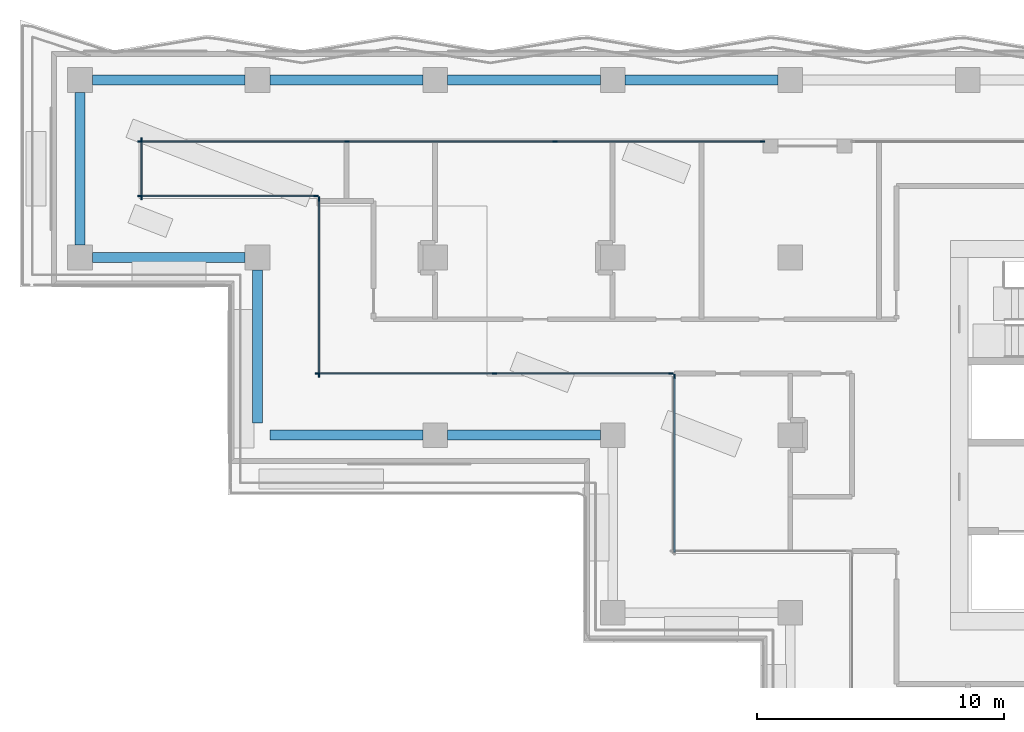
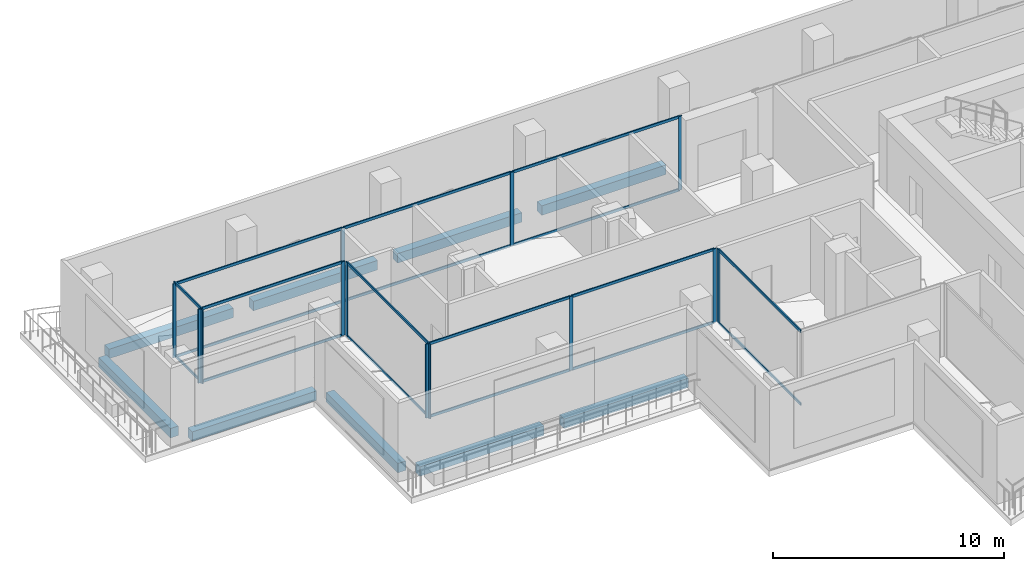
# One storey, part 4 of 23: 32 members, 9 beams, 6 elements without a shape of their own.
"""IFC4 building model written with IfcOpenShell, lengths in metres."""

from ifc_helpers import new_model, si_unit, direction, frame, origin, origin_2d, place, context, subcontext, project, spatial, rectangle, extrude, material, material_profile, profile_set, type_object, element, aggregate, save


model = new_model("IFC4")

# Units and contexts
model_context = context("Model", 3, precision=1e-05, world=origin(), true_north=direction((0.0, 1.0)))
body_context = subcontext(model_context, "Body", "Model", "MODEL_VIEW")
ifc_project = project(units=[si_unit("LENGTHUNIT", "METRE"), si_unit("AREAUNIT", "SQUARE_METRE"), si_unit("VOLUMEUNIT", "CUBIC_METRE"), si_unit("PLANEANGLEUNIT", "RADIAN"), si_unit("MASSUNIT", "GRAM", prefix="KILO")], contexts=[model_context])

# Site, building, storey
site_placement = place(None, origin())
site = spatial("IfcSite", under=ifc_project, at=site_placement, CompositionType="ELEMENT")
building_placement = place(site_placement, origin())
building = spatial("IfcBuilding", under=site, at=building_placement, Name="Windrow Commons", CompositionType="ELEMENT")
storey_placement = place(building_placement, frame((0.0, 0.0, 122.0)))
storey = spatial("IfcBuildingStorey", under=building, at=storey_placement, Name="L33", CompositionType="ELEMENT", Elevation=122.0)

# Curtain wall, members
ifc_material_1 = material(Name="Clear laminated glass in Aluminium 6063-T6 anodised frame", Category="aluminium")
curtain_wall_type = type_object("IfcCurtainWallType", Name="Curtain wall CW2M sky lounge mid", PredefinedType="USERDEFINED", material=ifc_material_1)
placement = place(storey_placement, origin())
curtain_wall_1 = element("IfcCurtainWall", 1, at=placement, inside=storey, type_object=curtain_wall_type, Name="Curtain wall CW2M L33 4.2", ObjectType="UNITISED", PredefinedType="USERDEFINED")
ifc_material_2 = material(Name="Aluminium 6063-T6", Category="aluminium")
ifc_material_profile_1 = material_profile(ifc_material_2, rectangle(XDim=0.06, YDim=0.18, at=origin_2d()))
ifc_profile_set_1 = profile_set([ifc_material_profile_1], Name="Aluminium 6063-T6")
member_type_1 = type_object("IfcMemberType", Name="CW2M mullion 60x180", PredefinedType="MULLION", material=ifc_profile_set_1)
member_1_placement = place(storey_placement, frame((49.2729, 69.5, 0.0), z_axis=(0.0, 0.0, 1.0), x_axis=(0.0, -1.0, 0.0)))
member_1 = element("IfcMember", 2, at=member_1_placement, type_object=member_type_1, Name="CW2M mullion 1", PredefinedType="MULLION", context=body_context, shape_type="SweptSolid", body=[
    extrude(rectangle(XDim=0.06, YDim=0.18, at=origin_2d()), origin(), (0.0, 0.0, 1.0), 3.9),
])
member_2_placement = place(storey_placement, frame((40.8686, 69.5, 0.0), z_axis=(0.0, 0.0, 1.0), x_axis=(0.0, -1.0, 0.0)))
member_2 = element("IfcMember", 3, at=member_2_placement, type_object=member_type_1, Name="CW2M mullion 2", PredefinedType="MULLION", context=body_context, shape_type="SweptSolid", body=[
    extrude(rectangle(XDim=0.06, YDim=0.18, at=origin_2d()), origin(), (0.0, 0.0, 1.0), 3.9),
])
member_3_placement = place(storey_placement, frame((32.4343, 69.5, 0.0), z_axis=(0.0, 0.0, 1.0), x_axis=(0.0, -1.0, 0.0)))
member_3 = element("IfcMember", 4, at=member_3_placement, type_object=member_type_1, Name="CW2M mullion 3", PredefinedType="MULLION", context=body_context, shape_type="SweptSolid", body=[
    extrude(rectangle(XDim=0.06, YDim=0.18, at=origin_2d()), origin(), (0.0, 0.0, 1.0), 3.9),
])
member_4_placement = place(storey_placement, frame((24.03, 69.5, 0.0), z_axis=(0.0, 0.0, 1.0), x_axis=(0.0, -1.0, 0.0)))
member_4 = element("IfcMember", 5, at=member_4_placement, type_object=member_type_1, Name="CW2M mullion 4", PredefinedType="MULLION", context=body_context, shape_type="SweptSolid", body=[
    extrude(rectangle(XDim=0.06, YDim=0.18, at=origin_2d()), origin(), (0.0, 0.0, 1.0), 3.9),
])

curtain_wall_2 = element("IfcCurtainWall", 6, at=placement, inside=storey, type_object=curtain_wall_type, Name="Curtain wall CW2M L33 5", ObjectType="UNITISED", PredefinedType="USERDEFINED")
member_5_placement = place(storey_placement, frame((24.1, 69.57, 0.0), z_axis=(0.0, 0.0, 1.0), x_axis=(1.0, 0.0, 0.0)))
member_5 = element("IfcMember", 7, at=member_5_placement, type_object=member_type_1, Name="CW2M mullion 1", PredefinedType="MULLION", context=body_context, shape_type="SweptSolid", body=[
    extrude(rectangle(XDim=0.06, YDim=0.18, at=origin_2d()), origin(), (0.0, 0.0, 1.0), 3.9),
])
member_6_placement = place(storey_placement, frame((24.1, 67.23, 0.0), z_axis=(0.0, 0.0, 1.0), x_axis=(1.0, 0.0, 0.0)))
member_6 = element("IfcMember", 8, at=member_6_placement, type_object=member_type_1, Name="CW2M mullion 2", PredefinedType="MULLION", context=body_context, shape_type="SweptSolid", body=[
    extrude(rectangle(XDim=0.06, YDim=0.18, at=origin_2d()), origin(), (0.0, 0.0, 1.0), 3.9),
])

curtain_wall_3 = element("IfcCurtainWall", 9, at=placement, inside=storey, type_object=curtain_wall_type, Name="Curtain wall CW2M L33 6", ObjectType="UNITISED", PredefinedType="USERDEFINED")
member_7_placement = place(storey_placement, frame((24.03, 67.3, 0.0), z_axis=(0.0, 0.0, 1.0), x_axis=(0.0, 1.0, 0.0)))
member_7 = element("IfcMember", 10, at=member_7_placement, type_object=member_type_1, Name="CW2M mullion 1", PredefinedType="MULLION", context=body_context, shape_type="SweptSolid", body=[
    extrude(rectangle(XDim=0.06, YDim=0.18, at=origin_2d()), origin(), (0.0, 0.0, 1.0), 3.9),
])
member_8_placement = place(storey_placement, frame((31.17, 67.3, 0.0), z_axis=(0.0, 0.0, 1.0), x_axis=(0.0, 1.0, 0.0)))
member_8 = element("IfcMember", 11, at=member_8_placement, type_object=member_type_1, Name="CW2M mullion 2", PredefinedType="MULLION", context=body_context, shape_type="SweptSolid", body=[
    extrude(rectangle(XDim=0.06, YDim=0.18, at=origin_2d()), origin(), (0.0, 0.0, 1.0), 3.9),
])

curtain_wall_4 = element("IfcCurtainWall", 12, at=placement, inside=storey, type_object=curtain_wall_type, Name="Curtain wall CW2M L33 7", ObjectType="UNITISED", PredefinedType="USERDEFINED")
member_9_placement = place(storey_placement, frame((31.3, 67.17, 0.0), z_axis=(0.0, 0.0, 1.0), x_axis=(1.0, 0.0, 0.0)))
member_9 = element("IfcMember", 13, at=member_9_placement, type_object=member_type_1, Name="CW2M mullion 1", PredefinedType="MULLION", context=body_context, shape_type="SweptSolid", body=[
    extrude(rectangle(XDim=0.06, YDim=0.18, at=origin_2d()), origin(), (0.0, 0.0, 1.0), 3.9),
])
member_10_placement = place(storey_placement, frame((31.3, 60.03, 0.0), z_axis=(0.0, 0.0, 1.0), x_axis=(1.0, 0.0, 0.0)))
member_10 = element("IfcMember", 14, at=member_10_placement, type_object=member_type_1, Name="CW2M mullion 2", PredefinedType="MULLION", context=body_context, shape_type="SweptSolid", body=[
    extrude(rectangle(XDim=0.06, YDim=0.18, at=origin_2d()), origin(), (0.0, 0.0, 1.0), 3.9),
])

curtain_wall_5 = element("IfcCurtainWall", 15, at=placement, inside=storey, type_object=curtain_wall_type, Name="Curtain wall CW2M L33 8", ObjectType="UNITISED", PredefinedType="USERDEFINED")
member_11_placement = place(storey_placement, frame((31.23, 60.1, 0.0), z_axis=(0.0, 0.0, 1.0), x_axis=(0.0, 1.0, 0.0)))
member_11 = element("IfcMember", 16, at=member_11_placement, type_object=member_type_1, Name="CW2M mullion 1", PredefinedType="MULLION", context=body_context, shape_type="SweptSolid", body=[
    extrude(rectangle(XDim=0.06, YDim=0.18, at=origin_2d()), origin(), (0.0, 0.0, 1.0), 3.9),
])
member_12_placement = place(storey_placement, frame((38.4, 60.1, 0.0), z_axis=(0.0, 0.0, 1.0), x_axis=(0.0, 1.0, 0.0)))
member_12 = element("IfcMember", 17, at=member_12_placement, type_object=member_type_1, Name="CW2M mullion 2", PredefinedType="MULLION", context=body_context, shape_type="SweptSolid", body=[
    extrude(rectangle(XDim=0.06, YDim=0.18, at=origin_2d()), origin(), (0.0, 0.0, 1.0), 3.9),
])
member_13_placement = place(storey_placement, frame((45.57, 60.1, 0.0), z_axis=(0.0, 0.0, 1.0), x_axis=(0.0, 1.0, 0.0)))
member_13 = element("IfcMember", 18, at=member_13_placement, type_object=member_type_1, Name="CW2M mullion 3", PredefinedType="MULLION", context=body_context, shape_type="SweptSolid", body=[
    extrude(rectangle(XDim=0.06, YDim=0.18, at=origin_2d()), origin(), (0.0, 0.0, 1.0), 3.9),
])

# Curtain wall, member
curtain_wall_6 = element("IfcCurtainWall", 19, at=placement, inside=storey, type_object=curtain_wall_type, Name="Curtain wall CW2M L33 9", ObjectType="UNITISED", PredefinedType="USERDEFINED")
member_14_placement = place(storey_placement, frame((45.7, 59.97, 0.0), z_axis=(0.0, 0.0, 1.0), x_axis=(1.0, 0.0, 0.0)))
member_14 = element("IfcMember", 20, at=member_14_placement, type_object=member_type_1, Name="CW2M mullion 1", PredefinedType="MULLION", context=body_context, shape_type="SweptSolid", body=[
    extrude(rectangle(XDim=0.06, YDim=0.18, at=origin_2d()), origin(), (0.0, 0.0, 1.0), 3.9),
])

# Member
ifc_material_3 = material(Name="Aluminium 6063-T6", Category="aluminium")
ifc_material_profile_2 = material_profile(ifc_material_3, rectangle(XDim=0.06, YDim=0.14, at=origin_2d()))
ifc_profile_set_2 = profile_set([ifc_material_profile_2], Name="Aluminium 6063-T6")
member_type_2 = type_object("IfcMemberType", Name="CW2M transom 60x140", PredefinedType="USERDEFINED", material=ifc_profile_set_2)
member_15_placement = place(storey_placement, frame((49.2429, 69.5, 0.03), z_axis=(-1.0, 0.0, 0.0), x_axis=(0.0, -1.0, 0.0)))
member_15 = element("IfcMember", 21, at=member_15_placement, type_object=member_type_2, Name="CW2M transom 1.1", ObjectType="TRANSOM", PredefinedType="USERDEFINED", context=body_context, shape_type="SweptSolid", body=[
    extrude(rectangle(XDim=0.06, YDim=0.14, at=origin_2d()), origin(), (0.0, 0.0, 1.0), 8.3443),
])

member_16_placement = place(storey_placement, frame((49.2429, 69.5, 3.87), z_axis=(-1.0, 0.0, 0.0), x_axis=(0.0, -1.0, 0.0)))
member_16 = element("IfcMember", 22, at=member_16_placement, type_object=member_type_2, Name="CW2M transom 1.2", ObjectType="TRANSOM", PredefinedType="USERDEFINED", context=body_context, shape_type="SweptSolid", body=[
    extrude(rectangle(XDim=0.06, YDim=0.14, at=origin_2d()), origin(), (0.0, 0.0, 1.0), 8.3443),
])

member_17_placement = place(storey_placement, frame((40.8386, 69.5, 0.03), z_axis=(-1.0, 0.0, 0.0), x_axis=(0.0, -1.0, 0.0)))
member_17 = element("IfcMember", 23, at=member_17_placement, type_object=member_type_2, Name="CW2M transom 2.1", ObjectType="TRANSOM", PredefinedType="USERDEFINED", context=body_context, shape_type="SweptSolid", body=[
    extrude(rectangle(XDim=0.06, YDim=0.14, at=origin_2d()), origin(), (0.0, 0.0, 1.0), 8.3743),
])

member_18_placement = place(storey_placement, frame((40.8386, 69.5, 3.87), z_axis=(-1.0, 0.0, 0.0), x_axis=(0.0, -1.0, 0.0)))
member_18 = element("IfcMember", 24, at=member_18_placement, type_object=member_type_2, Name="CW2M transom 2.2", ObjectType="TRANSOM", PredefinedType="USERDEFINED", context=body_context, shape_type="SweptSolid", body=[
    extrude(rectangle(XDim=0.06, YDim=0.14, at=origin_2d()), origin(), (0.0, 0.0, 1.0), 8.3743),
])

member_19_placement = place(storey_placement, frame((32.4043, 69.5, 0.03), z_axis=(-1.0, 0.0, 0.0), x_axis=(0.0, -1.0, 0.0)))
member_19 = element("IfcMember", 25, at=member_19_placement, type_object=member_type_2, Name="CW2M transom 3.1", ObjectType="TRANSOM", PredefinedType="USERDEFINED", context=body_context, shape_type="SweptSolid", body=[
    extrude(rectangle(XDim=0.06, YDim=0.14, at=origin_2d()), origin(), (0.0, 0.0, 1.0), 8.3443),
])

member_20_placement = place(storey_placement, frame((32.4043, 69.5, 3.87), z_axis=(-1.0, 0.0, 0.0), x_axis=(0.0, -1.0, 0.0)))
member_20 = element("IfcMember", 26, at=member_20_placement, type_object=member_type_2, Name="CW2M transom 3.2", ObjectType="TRANSOM", PredefinedType="USERDEFINED", context=body_context, shape_type="SweptSolid", body=[
    extrude(rectangle(XDim=0.06, YDim=0.14, at=origin_2d()), origin(), (0.0, 0.0, 1.0), 8.3443),
])

aggregate(curtain_wall_1, [member_1, member_2, member_3, member_4, member_15, member_16, member_17, member_18, member_19, member_20])

member_21_placement = place(storey_placement, frame((24.1, 69.54, 0.03), z_axis=(0.0, -1.0, 0.0), x_axis=(1.0, 0.0, 0.0)))
member_21 = element("IfcMember", 27, at=member_21_placement, type_object=member_type_2, Name="CW2M transom 1.1", ObjectType="TRANSOM", PredefinedType="USERDEFINED", context=body_context, shape_type="SweptSolid", body=[
    extrude(rectangle(XDim=0.06, YDim=0.14, at=origin_2d()), origin(), (0.0, 0.0, 1.0), 2.28),
])

member_22_placement = place(storey_placement, frame((24.1, 69.54, 3.87), z_axis=(0.0, -1.0, 0.0), x_axis=(1.0, 0.0, 0.0)))
member_22 = element("IfcMember", 28, at=member_22_placement, type_object=member_type_2, Name="CW2M transom 1.2", ObjectType="TRANSOM", PredefinedType="USERDEFINED", context=body_context, shape_type="SweptSolid", body=[
    extrude(rectangle(XDim=0.06, YDim=0.14, at=origin_2d()), origin(), (0.0, 0.0, 1.0), 2.28),
])

aggregate(curtain_wall_2, [member_5, member_6, member_21, member_22])

member_23_placement = place(storey_placement, frame((24.06, 67.3, 0.03), z_axis=(1.0, 0.0, 0.0), x_axis=(0.0, 1.0, 0.0)))
member_23 = element("IfcMember", 29, at=member_23_placement, type_object=member_type_2, Name="CW2M transom 1.1", ObjectType="TRANSOM", PredefinedType="USERDEFINED", context=body_context, shape_type="SweptSolid", body=[
    extrude(rectangle(XDim=0.06, YDim=0.14, at=origin_2d()), origin(), (0.0, 0.0, 1.0), 7.08),
])

member_24_placement = place(storey_placement, frame((24.06, 67.3, 3.87), z_axis=(1.0, 0.0, 0.0), x_axis=(0.0, 1.0, 0.0)))
member_24 = element("IfcMember", 30, at=member_24_placement, type_object=member_type_2, Name="CW2M transom 1.2", ObjectType="TRANSOM", PredefinedType="USERDEFINED", context=body_context, shape_type="SweptSolid", body=[
    extrude(rectangle(XDim=0.06, YDim=0.14, at=origin_2d()), origin(), (0.0, 0.0, 1.0), 7.08),
])

aggregate(curtain_wall_3, [member_7, member_8, member_23, member_24])

member_25_placement = place(storey_placement, frame((31.3, 67.14, 0.03), z_axis=(0.0, -1.0, 0.0), x_axis=(1.0, 0.0, 0.0)))
member_25 = element("IfcMember", 31, at=member_25_placement, type_object=member_type_2, Name="CW2M transom 1.1", ObjectType="TRANSOM", PredefinedType="USERDEFINED", context=body_context, shape_type="SweptSolid", body=[
    extrude(rectangle(XDim=0.06, YDim=0.14, at=origin_2d()), origin(), (0.0, 0.0, 1.0), 7.08),
])

member_26_placement = place(storey_placement, frame((31.3, 67.14, 3.87), z_axis=(0.0, -1.0, 0.0), x_axis=(1.0, 0.0, 0.0)))
member_26 = element("IfcMember", 32, at=member_26_placement, type_object=member_type_2, Name="CW2M transom 1.2", ObjectType="TRANSOM", PredefinedType="USERDEFINED", context=body_context, shape_type="SweptSolid", body=[
    extrude(rectangle(XDim=0.06, YDim=0.14, at=origin_2d()), origin(), (0.0, 0.0, 1.0), 7.08),
])

aggregate(curtain_wall_4, [member_9, member_10, member_25, member_26])

member_27_placement = place(storey_placement, frame((31.26, 60.1, 0.03), z_axis=(1.0, 0.0, 0.0), x_axis=(0.0, 1.0, 0.0)))
member_27 = element("IfcMember", 33, at=member_27_placement, type_object=member_type_2, Name="CW2M transom 1.1", ObjectType="TRANSOM", PredefinedType="USERDEFINED", context=body_context, shape_type="SweptSolid", body=[
    extrude(rectangle(XDim=0.06, YDim=0.14, at=origin_2d()), origin(), (0.0, 0.0, 1.0), 7.11),
])

member_28_placement = place(storey_placement, frame((31.26, 60.1, 3.87), z_axis=(1.0, 0.0, 0.0), x_axis=(0.0, 1.0, 0.0)))
member_28 = element("IfcMember", 34, at=member_28_placement, type_object=member_type_2, Name="CW2M transom 1.2", ObjectType="TRANSOM", PredefinedType="USERDEFINED", context=body_context, shape_type="SweptSolid", body=[
    extrude(rectangle(XDim=0.06, YDim=0.14, at=origin_2d()), origin(), (0.0, 0.0, 1.0), 7.11),
])

member_29_placement = place(storey_placement, frame((38.43, 60.1, 0.03), z_axis=(1.0, 0.0, 0.0), x_axis=(0.0, 1.0, 0.0)))
member_29 = element("IfcMember", 35, at=member_29_placement, type_object=member_type_2, Name="CW2M transom 2.1", ObjectType="TRANSOM", PredefinedType="USERDEFINED", context=body_context, shape_type="SweptSolid", body=[
    extrude(rectangle(XDim=0.06, YDim=0.14, at=origin_2d()), origin(), (0.0, 0.0, 1.0), 7.11),
])

member_30_placement = place(storey_placement, frame((38.43, 60.1, 3.87), z_axis=(1.0, 0.0, 0.0), x_axis=(0.0, 1.0, 0.0)))
member_30 = element("IfcMember", 36, at=member_30_placement, type_object=member_type_2, Name="CW2M transom 2.2", ObjectType="TRANSOM", PredefinedType="USERDEFINED", context=body_context, shape_type="SweptSolid", body=[
    extrude(rectangle(XDim=0.06, YDim=0.14, at=origin_2d()), origin(), (0.0, 0.0, 1.0), 7.11),
])

aggregate(curtain_wall_5, [member_11, member_12, member_13, member_27, member_28, member_29, member_30])

member_31_placement = place(storey_placement, frame((45.7, 59.94, 0.03), z_axis=(0.0, -1.0, 0.0), x_axis=(1.0, 0.0, 0.0)))
member_31 = element("IfcMember", 37, at=member_31_placement, type_object=member_type_2, Name="CW2M transom 1.1", ObjectType="TRANSOM", PredefinedType="USERDEFINED", context=body_context, shape_type="SweptSolid", body=[
    extrude(rectangle(XDim=0.06, YDim=0.14, at=origin_2d()), origin(), (0.0, 0.0, 1.0), 7.08),
])

member_32_placement = place(storey_placement, frame((45.7, 59.94, 3.87), z_axis=(0.0, -1.0, 0.0), x_axis=(1.0, 0.0, 0.0)))
member_32 = element("IfcMember", 38, at=member_32_placement, type_object=member_type_2, Name="CW2M transom 1.2", ObjectType="TRANSOM", PredefinedType="USERDEFINED", context=body_context, shape_type="SweptSolid", body=[
    extrude(rectangle(XDim=0.06, YDim=0.14, at=origin_2d()), origin(), (0.0, 0.0, 1.0), 7.08),
])

aggregate(curtain_wall_6, [member_14, member_31, member_32])

# Beams
ifc_material_4 = material(Name="Concrete C50/60", Category="concrete")
ifc_material_profile_3 = material_profile(ifc_material_4, rectangle(XDim=0.4, YDim=0.5, at=origin_2d()))
ifc_profile_set_3 = profile_set([ifc_material_profile_3], Name="Concrete C50/60")
beam_type = type_object("IfcBeamType", Name="RC EDGE BEAM 400x500 C50/60", PredefinedType="SPANDREL", material=ifc_profile_set_3)
for number, where, z_axis, x_axis, name in (
    (39, (35.5, 57.6, -0.55), (-1.0, 0.0, 0.0), (0.0, -1.0, 0.0), "Edge beam L33 001"),
    (40, (28.8, 58.1, -0.55), (0.0, 1.0, 0.0), (-1.0, 0.0, 0.0), "Edge beam L33 002"),
    (41, (28.3, 64.8, -0.55), (-1.0, 0.0, 0.0), (0.0, -1.0, 0.0), "Edge beam L33 003"),
    (42, (21.6, 65.3, -0.55), (0.0, 1.0, 0.0), (-1.0, 0.0, 0.0), "Edge beam L33 004"),
    (43, (22.1, 72.0, -0.55), (1.0, 0.0, 0.0), (0.0, 1.0, 0.0), "Edge beam L33 005"),
    (44, (29.3, 72.0, -0.55), (1.0, 0.0, 0.0), (0.0, 1.0, 0.0), "Edge beam L33 006"),
    (45, (36.5, 72.0, -0.55), (1.0, 0.0, 0.0), (0.0, 1.0, 0.0), "Edge beam L33 007"),
    (46, (43.7, 72.0, -0.55), (1.0, 0.0, 0.0), (0.0, 1.0, 0.0), "Edge beam L33 008"),
    (47, (42.7, 57.6, -0.55), (-1.0, 0.0, 0.0), (0.0, -1.0, 0.0), "Edge beam L33 029"),
):
    element("IfcBeam", number, at=place(storey_placement, frame(where, z_axis=z_axis, x_axis=x_axis)), inside=storey, type_object=beam_type, Name=name, PredefinedType="SPANDREL", context=body_context, shape_type="SweptSolid", body=[
        extrude(rectangle(XDim=0.4, YDim=0.5, at=origin_2d()), origin(), (0.0, 0.0, 1.0), 6.2),
    ])

save(model, "model.ifc")
